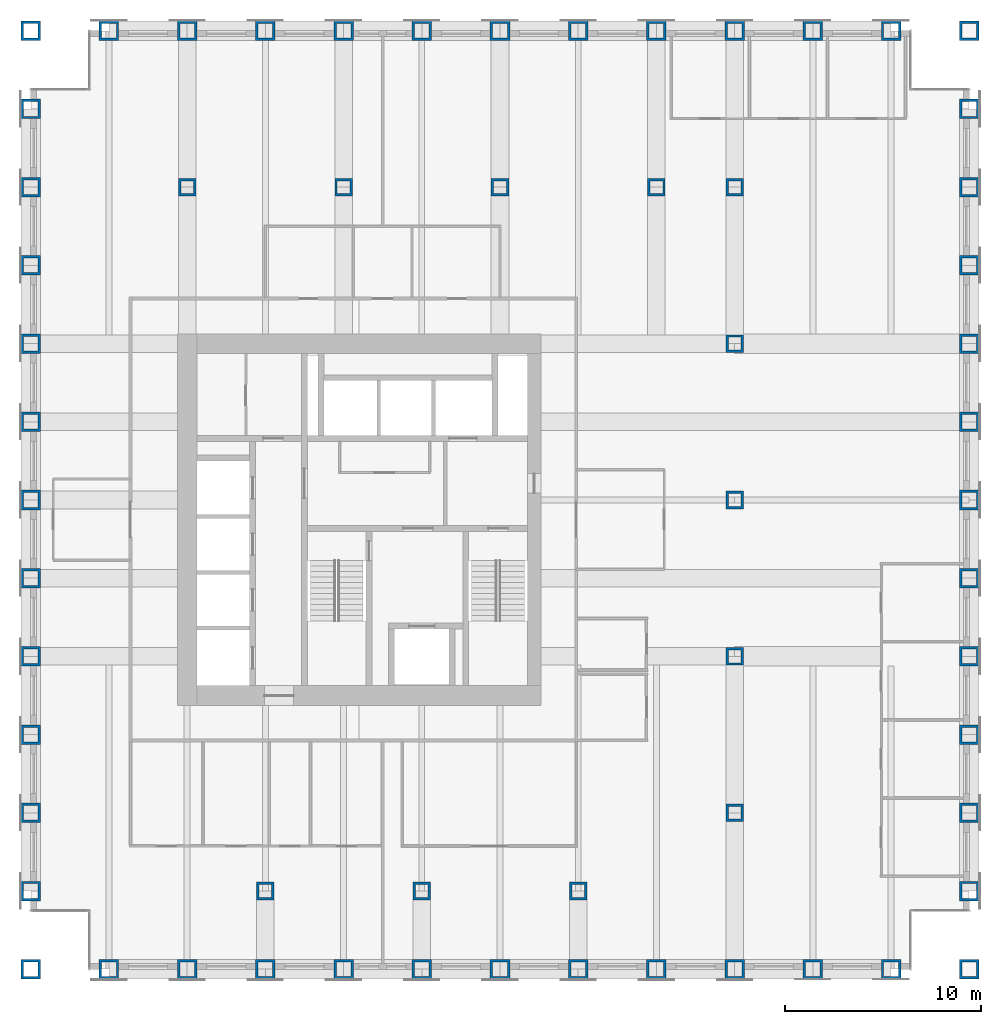
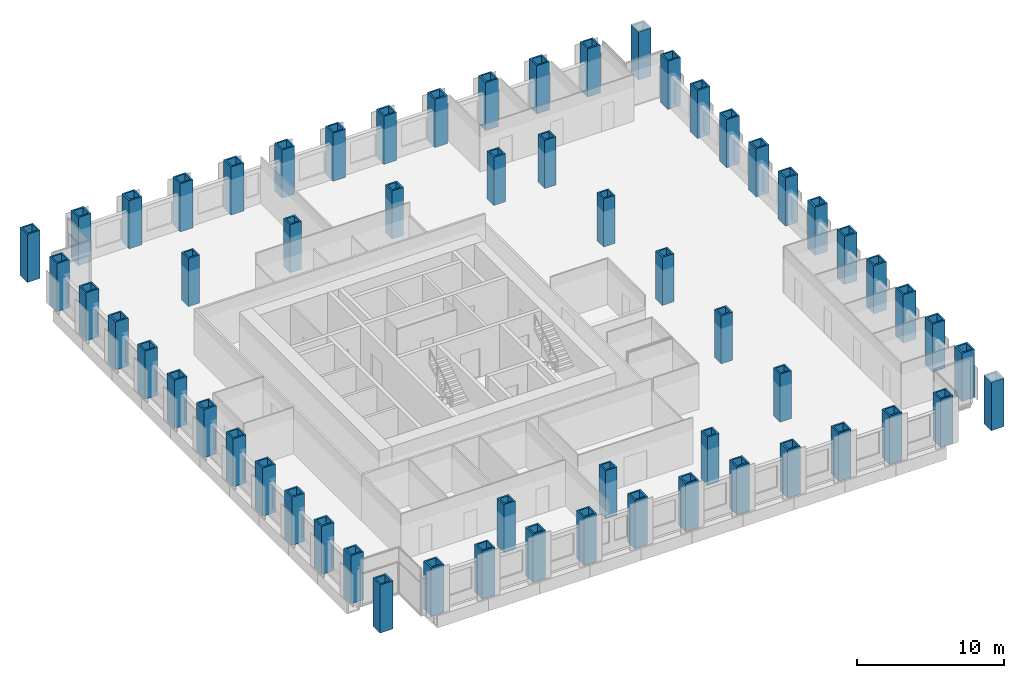
# One storey, part 1 of 16: 60 columns.
"""IFC4 building model written with IfcOpenShell, lengths in metres."""

from ifc_helpers import new_model, si_unit, direction, frame, origin, origin_2d, place, context, subcontext, project, spatial, hollow_rectangle, extrude, material, material_profile, profile_set, type_object, element, save


model = new_model("IFC4")

# Units and contexts
model_context = context("Model", 3, precision=1e-05, world=origin(), true_north=direction((0.0, 1.0)))
body_context = subcontext(model_context, "Body", "Model", "MODEL_VIEW")
ifc_project = project(units=[si_unit("LENGTHUNIT", "METRE"), si_unit("AREAUNIT", "SQUARE_METRE"), si_unit("VOLUMEUNIT", "CUBIC_METRE"), si_unit("PLANEANGLEUNIT", "RADIAN"), si_unit("MASSUNIT", "GRAM", prefix="KILO")], contexts=[model_context])

# Site, building, storey
site_placement = place(None, origin())
site = spatial("IfcSite", under=ifc_project, at=site_placement, CompositionType="ELEMENT")
building_placement = place(site_placement, origin())
building = spatial("IfcBuilding", under=site, at=building_placement, Name="Rimbunsela Tower", CompositionType="ELEMENT")
storey_placement = place(building_placement, frame((0.0, 0.0, 133.39990234375)))
storey = spatial("IfcBuildingStorey", under=building, at=storey_placement, Name="L32", CompositionType="ELEMENT", Elevation=133.39990234375)

# Columns
ifc_material_1 = material(Name="Steel BJ 55 (fy 410 MPa)", Category="steel")
ifc_material_profile_1 = material_profile(ifc_material_1, hollow_rectangle(XDim=1.0, YDim=1.0, WallThickness=0.125, at=origin_2d()), Name="BOX 1000x1000x125")
ifc_profile_set_1 = profile_set([ifc_material_profile_1], Name="Steel BJ 55 (fy 410 MPa)")
column_type_1 = type_object("IfcColumnType", Name="Column BOX 1000x1000x125", PredefinedType="COLUMN", material=ifc_profile_set_1)
for number, where, z_axis, x_axis, name in (
    (1, (10.0, 4.0, 0.0), (0.0, 0.0, 1.0), (1.0, 0.0, 0.0), "Column C8 5/C L32"),
    (2, (10.0, 8.0, 0.0), (0.0, 0.0, 1.0), (1.0, 0.0, 0.0), "Column C8 5/D L32"),
    (3, (10.0, 12.0, 0.0), (0.0, 0.0, 1.0), (1.0, 0.0, 0.0), "Column C8 5/E L32"),
    (4, (10.0, 16.0, 0.0), (0.0, 0.0, 1.0), (1.0, 0.0, 0.0), "Column C8 5/F L32"),
    (5, (10.0, 20.0, 0.0), (0.0, 0.0, 1.0), (1.0, 0.0, 0.0), "Column C8 5/G L32"),
    (6, (10.0, 24.0, 0.0), (0.0, 0.0, 1.0), (1.0, 0.0, 0.0), "Column C8 5/H L32"),
    (7, (10.0, 28.0, 0.0), (0.0, 0.0, 1.0), (1.0, 0.0, 0.0), "Column C8 5/J L32"),
    (8, (10.0, 32.0, 0.0), (0.0, 0.0, 1.0), (1.0, 0.0, 0.0), "Column C8 5/K L32"),
    (9, (10.0, 36.0, 0.0), (0.0, 0.0, 1.0), (1.0, 0.0, 0.0), "Column C8 5/L L32"),
    (10, (10.0, 40.0, 0.0), (0.0, 0.0, 1.0), (1.0, 0.0, 0.0), "Column C8 5/M L32"),
    (11, (10.0, 44.0, 0.0), (0.0, 0.0, 1.0), (1.0, 0.0, 0.0), "Column C8 5/N L32"),
    (12, (10.0, 48.0, 0.0), (0.0, 0.0, 1.0), (1.0, 0.0, 0.0), "Column C8 5/P L32"),
    (13, (10.0, 52.0, 0.0), (0.0, 0.0, 1.0), (1.0, 0.0, 0.0), "Column C8 5/Q L32"),
    (14, (14.0, 4.0, 0.0), (0.0, 0.0, 1.0), (1.0, 0.0, 0.0), "Column C8 6/C L32"),
    (15, (14.0, 52.0, 0.0), (0.0, 0.0, 1.0), (1.0, 0.0, 0.0), "Column C8 6/Q L32"),
    (16, (18.0, 4.0, 0.0), (0.0, 0.0, 1.0), (1.0, 0.0, 0.0), "Column C8 7/C L32"),
    (17, (18.0, 52.0, 0.0), (0.0, 0.0, 1.0), (1.0, 0.0, 0.0), "Column C8 7/Q L32"),
    (18, (22.0, 4.0, 0.0), (0.0, 0.0, 1.0), (1.0, 0.0, 0.0), "Column C8 8/C L32"),
    (19, (22.0, 52.0, 0.0), (0.0, 0.0, 1.0), (1.0, 0.0, 0.0), "Column C8 8/Q L32"),
    (20, (26.0, 4.0, 0.0), (0.0, 0.0, 1.0), (1.0, 0.0, 0.0), "Column C8 9/C L32"),
    (21, (26.0, 52.0, 0.0), (0.0, 0.0, 1.0), (1.0, 0.0, 0.0), "Column C8 9/Q L32"),
    (22, (30.0, 4.0, 0.0), (0.0, 0.0, 1.0), (1.0, 0.0, 0.0), "Column C8 10/C L32"),
    (23, (30.0, 52.0, 0.0), (0.0, 0.0, 1.0), (1.0, 0.0, 0.0), "Column C8 10/Q L32"),
    (24, (34.0, 4.0, 0.0), (0.0, 0.0, 1.0), (1.0, 0.0, 0.0), "Column C8 11/C L32"),
    (25, (34.0, 52.0, 0.0), (0.0, 0.0, 1.0), (1.0, 0.0, 0.0), "Column C8 11/Q L32"),
    (26, (38.0, 4.0, 0.0), (0.0, 0.0, 1.0), (1.0, 0.0, 0.0), "Column C8 12/C L32"),
    (27, (38.0, 52.0, 0.0), (0.0, 0.0, 1.0), (1.0, 0.0, 0.0), "Column C8 12/Q L32"),
    (28, (42.0, 4.0, 0.0), (0.0, 0.0, 1.0), (1.0, 0.0, 0.0), "Column C8 13/C L32"),
    (29, (42.0, 52.0, 0.0), (0.0, 0.0, 1.0), (1.0, 0.0, 0.0), "Column C8 13/Q L32"),
    (30, (46.0, 4.0, 0.0), (0.0, 0.0, 1.0), (1.0, 0.0, 0.0), "Column C8 14/C L32"),
    (31, (46.0, 52.0, 0.0), (0.0, 0.0, 1.0), (1.0, 0.0, 0.0), "Column C8 14/Q L32"),
    (32, (50.0, 4.0, 0.0), (0.0, 0.0, 1.0), (1.0, 0.0, 0.0), "Column C8 15/C L32"),
    (33, (50.0, 52.0, 0.0), (0.0, 0.0, 1.0), (1.0, 0.0, 0.0), "Column C8 15/Q L32"),
    (34, (54.0, 4.0, 0.0), (0.0, 0.0, 1.0), (1.0, 0.0, 0.0), "Column C8 16/C L32"),
    (35, (54.0, 52.0, 0.0), (0.0, 0.0, 1.0), (1.0, 0.0, 0.0), "Column C8 16/Q L32"),
    (36, (58.0, 4.0, 0.0), (0.0, 0.0, 1.0), (1.0, 0.0, 0.0), "Column C8 17/C L32"),
    (37, (58.0, 8.0, 0.0), (0.0, 0.0, 1.0), (1.0, 0.0, 0.0), "Column C8 17/D L32"),
    (38, (58.0, 12.0, 0.0), (0.0, 0.0, 1.0), (1.0, 0.0, 0.0), "Column C8 17/E L32"),
    (39, (58.0, 16.0, 0.0), (0.0, 0.0, 1.0), (1.0, 0.0, 0.0), "Column C8 17/F L32"),
    (40, (58.0, 20.0, 0.0), (0.0, 0.0, 1.0), (1.0, 0.0, 0.0), "Column C8 17/G L32"),
    (41, (58.0, 24.0, 0.0), (0.0, 0.0, 1.0), (1.0, 0.0, 0.0), "Column C8 17/H L32"),
    (42, (58.0, 28.0, 0.0), (0.0, 0.0, 1.0), (1.0, 0.0, 0.0), "Column C8 17/J L32"),
    (43, (58.0, 32.0, 0.0), (0.0, 0.0, 1.0), (1.0, 0.0, 0.0), "Column C8 17/K L32"),
    (44, (58.0, 36.0, 0.0), (0.0, 0.0, 1.0), (1.0, 0.0, 0.0), "Column C8 17/L L32"),
    (45, (58.0, 40.0, 0.0), (0.0, 0.0, 1.0), (1.0, 0.0, 0.0), "Column C8 17/M L32"),
    (46, (58.0, 44.0, 0.0), (0.0, 0.0, 1.0), (1.0, 0.0, 0.0), "Column C8 17/N L32"),
    (47, (58.0, 48.0, 0.0), (0.0, 0.0, 1.0), (1.0, 0.0, 0.0), "Column C8 17/P L32"),
    (48, (58.0, 52.0, 0.0), (0.0, 0.0, 1.0), (1.0, 0.0, 0.0), "Column C8 17/Q L32"),
):
    element("IfcColumn", number, at=place(storey_placement, frame(where, z_axis=z_axis, x_axis=x_axis)), inside=storey, type_object=column_type_1, Name=name, PredefinedType="COLUMN", context=body_context, shape_type="SweptSolid", body=[
        extrude(hollow_rectangle(XDim=1.0, YDim=1.0, WallThickness=0.125, at=origin_2d()), origin(), (0.0, 0.0, 1.0), 4.0),
    ])
ifc_material_2 = material(Name="Steel BJ 55 (fy 410 MPa)", Category="steel")
ifc_material_profile_2 = material_profile(ifc_material_2, hollow_rectangle(XDim=0.89990234375, YDim=0.89990234375, WallThickness=0.125, at=origin_2d()), Name="BOX 900x900x125")
ifc_profile_set_2 = profile_set([ifc_material_profile_2], Name="Steel BJ 55 (fy 410 MPa)")
column_type_2 = type_object("IfcColumnType", Name="Column BOX 900x900x125", PredefinedType="COLUMN", material=ifc_profile_set_2)
for number, where, z_axis, x_axis, name in (
    (49, (18.0, 44.0, 0.0), (0.0, 0.0, 1.0), (1.0, 0.0, 0.0), "Column C9 7/N L32"),
    (50, (22.0, 8.0, 0.0), (0.0, 0.0, 1.0), (1.0, 0.0, 0.0), "Column C9 8/D L32"),
    (51, (26.0, 44.0, 0.0), (0.0, 0.0, 1.0), (1.0, 0.0, 0.0), "Column C9 9/N L32"),
    (52, (30.0, 8.0, 0.0), (0.0, 0.0, 1.0), (1.0, 0.0, 0.0), "Column C9 10/D L32"),
    (53, (34.0, 44.0, 0.0), (0.0, 0.0, 1.0), (1.0, 0.0, 0.0), "Column C9 11/N L32"),
    (54, (38.0, 8.0, 0.0), (0.0, 0.0, 1.0), (1.0, 0.0, 0.0), "Column C9 12/D L32"),
    (55, (42.0, 44.0, 0.0), (0.0, 0.0, 1.0), (1.0, 0.0, 0.0), "Column C9 13/N L32"),
    (56, (46.0, 12.0, 0.0), (0.0, 0.0, 1.0), (1.0, 0.0, 0.0), "Column C9 14/E L32"),
    (57, (46.0, 20.0, 0.0), (0.0, 0.0, 1.0), (1.0, 0.0, 0.0), "Column C9 14/G L32"),
    (58, (46.0, 28.0, 0.0), (0.0, 0.0, 1.0), (1.0, 0.0, 0.0), "Column C9 14/J L32"),
    (59, (46.0, 36.0, 0.0), (0.0, 0.0, 1.0), (1.0, 0.0, 0.0), "Column C9 14/L L32"),
    (60, (46.0, 44.0, 0.0), (0.0, 0.0, 1.0), (1.0, 0.0, 0.0), "Column C9 14/N L32"),
):
    element("IfcColumn", number, at=place(storey_placement, frame(where, z_axis=z_axis, x_axis=x_axis)), inside=storey, type_object=column_type_2, Name=name, PredefinedType="COLUMN", context=body_context, shape_type="SweptSolid", body=[
        extrude(hollow_rectangle(XDim=0.89990234375, YDim=0.89990234375, WallThickness=0.125, at=origin_2d()), origin(), (0.0, 0.0, 1.0), 4.0),
    ])

save(model, "model.ifc")
